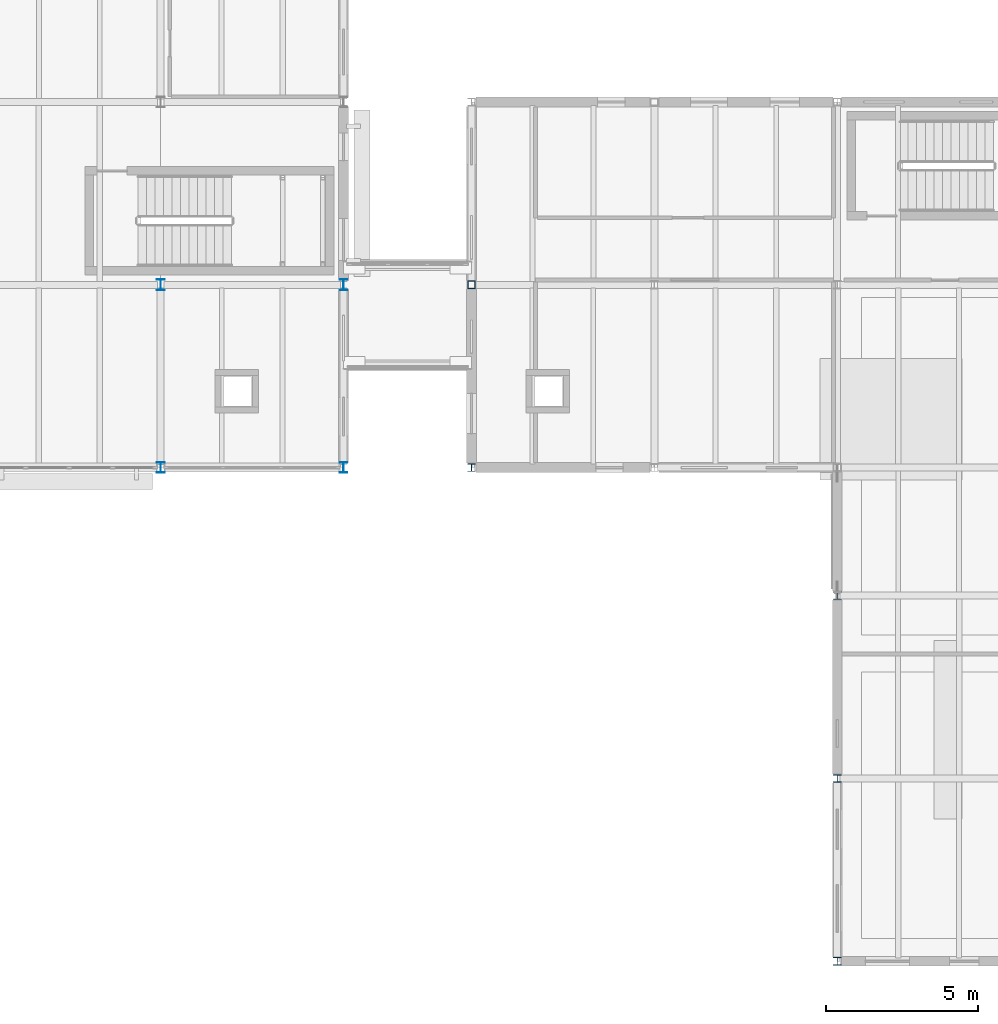
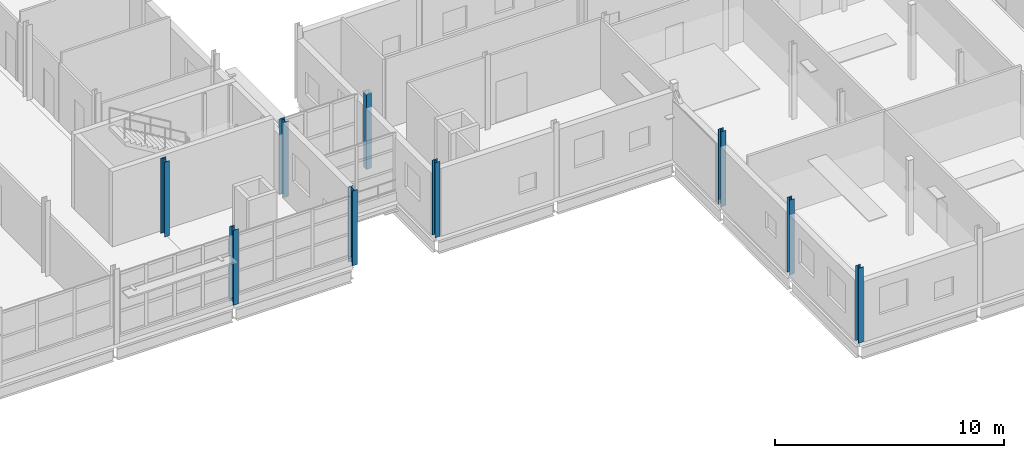
# One storey, part 6 of 92: 9 columns.
"""IFC4 building model written with IfcOpenShell, lengths in metres."""

from ifc_helpers import new_model, si_unit, direction, frame, origin, origin_2d, place, context, subcontext, project, spatial, hollow_rectangle, i_section, extrude, material, material_profile, profile_set, type_object, element, save


model = new_model("IFC4")

# Units and contexts
model_context = context("Model", 3, precision=1e-05, world=origin(), true_north=direction((0.0, 1.0)))
body_context = subcontext(model_context, "Body", "Model", "MODEL_VIEW")
ifc_project = project(units=[si_unit("LENGTHUNIT", "METRE"), si_unit("AREAUNIT", "SQUARE_METRE"), si_unit("VOLUMEUNIT", "CUBIC_METRE"), si_unit("PLANEANGLEUNIT", "RADIAN"), si_unit("MASSUNIT", "GRAM", prefix="KILO")], contexts=[model_context])

# Site, building, storey
site_placement = place(None, origin())
site = spatial("IfcSite", under=ifc_project, at=site_placement, CompositionType="ELEMENT")
building_placement = place(site_placement, origin())
building = spatial("IfcBuilding", under=site, at=building_placement, Name="Siltcreek Boulevard Central Fire Station", CompositionType="ELEMENT")
storey_placement = place(building_placement, frame((0.0, 0.0, 6.0)))
storey = spatial("IfcBuildingStorey", under=building, at=storey_placement, Name="L02", CompositionType="ELEMENT", Elevation=6.0)

# Columns
ifc_material_1 = material(Name="Structural steel ASTM A500 GrC", Category="steel")
ifc_material_profile_1 = material_profile(ifc_material_1, hollow_rectangle(XDim=0.25, YDim=0.25, WallThickness=0.012451171875, at=origin_2d()), Name="HSS250X250X12.5")
ifc_profile_set_1 = profile_set([ifc_material_profile_1], Name="Structural steel ASTM A500 GrC")
column_type_1 = type_object("IfcColumnType", Name="COL_HSS250", PredefinedType="COLUMN", material=ifc_profile_set_1)
column_placement = place(storey_placement, frame((112.199951171875, 24.0, 0.0), z_axis=(0.0, 0.0, 1.0), x_axis=(1.0, 0.0, 0.0)))
element("IfcColumn", 1, at=column_placement, inside=storey, type_object=column_type_1, Name="L02 structural column COLG-L02-1122-240", PredefinedType="COLUMN", context=body_context, shape_type="SweptSolid", body=[
    extrude(hollow_rectangle(XDim=0.25, YDim=0.25, WallThickness=0.012451171875, at=origin_2d()), origin(), (0.0, 0.0, 1.0), 4.0),
])
ifc_material_2 = material(Name="Structural steel ASTM A992 Gr50", Category="steel")
ifc_material_profile_2 = material_profile(ifc_material_2, i_section(OverallWidth=0.25390625, OverallDepth=0.2529296875, WebThickness=0.008544921875, FlangeThickness=0.01416015625, at=origin_2d()), Name="W250X73")
ifc_profile_set_2 = profile_set([ifc_material_profile_2], Name="Structural steel ASTM A992 Gr50")
column_type_2 = type_object("IfcColumnType", Name="COL_W250X73", PredefinedType="COLUMN", material=ifc_profile_set_2)
for number, where, z_axis, x_axis, name in (
    (2, (112.199951171875, 18.0, 0.0), (0.0, 0.0, 1.0), (1.0, 0.0, 0.0), "L02 structural column COLG-L02-1122-180"),
    (3, (124.199951171875, 1.800048828125, 0.0), (0.0, 0.0, 1.0), (1.0, 0.0, 0.0), "L02 structural column COLG-L02-1242-18"),
    (4, (124.199951171875, 7.800048828125, 0.0), (0.0, 0.0, 1.0), (1.0, 0.0, 0.0), "L02 structural column COLG-L02-1242-78"),
    (5, (124.199951171875, 13.800048828125, 0.0), (0.0, 0.0, 1.0), (1.0, 0.0, 0.0), "L02 structural column COLG-L02-1242-138"),
):
    element("IfcColumn", number, at=place(storey_placement, frame(where, z_axis=z_axis, x_axis=x_axis)), inside=storey, type_object=column_type_2, Name=name, PredefinedType="COLUMN", context=body_context, shape_type="SweptSolid", body=[
        extrude(i_section(OverallWidth=0.25390625, OverallDepth=0.2529296875, WebThickness=0.008544921875, FlangeThickness=0.01416015625, at=origin_2d()), origin(), (0.0, 0.0, 1.0), 4.0),
    ])
ifc_material_profile_3 = material_profile(ifc_material_2, i_section(OverallWidth=0.25390625, OverallDepth=0.35302734375, WebThickness=0.009521484375, FlangeThickness=0.016357421875, at=origin_2d()), Name="W360X91")
ifc_profile_set_3 = profile_set([ifc_material_profile_3], Name="Structural steel ASTM A992 Gr50")
column_type_3 = type_object("IfcColumnType", Name="COL_W360X91", PredefinedType="COLUMN", material=ifc_profile_set_3)
for number, where, z_axis, x_axis, name in (
    (6, (102.0, 18.0, 0.0), (0.0, 0.0, 1.0), (1.0, 0.0, 0.0), "L02 structural column COLG-L02-1020-180"),
    (7, (102.0, 24.0, 0.0), (0.0, 0.0, 1.0), (1.0, 0.0, 0.0), "L02 structural column COLG-L02-1020-240"),
    (8, (108.0, 18.0, 0.0), (0.0, 0.0, 1.0), (1.0, 0.0, 0.0), "L02 structural column COLG-L02-1080-180"),
    (9, (108.0, 24.0, 0.0), (0.0, 0.0, 1.0), (1.0, 0.0, 0.0), "L02 structural column COLG-L02-1080-240"),
):
    element("IfcColumn", number, at=place(storey_placement, frame(where, z_axis=z_axis, x_axis=x_axis)), inside=storey, type_object=column_type_3, Name=name, PredefinedType="COLUMN", context=body_context, shape_type="SweptSolid", body=[
        extrude(i_section(OverallWidth=0.25390625, OverallDepth=0.35302734375, WebThickness=0.009521484375, FlangeThickness=0.016357421875, at=origin_2d()), origin(), (0.0, 0.0, 1.0), 4.0),
    ])

save(model, "model.ifc")
